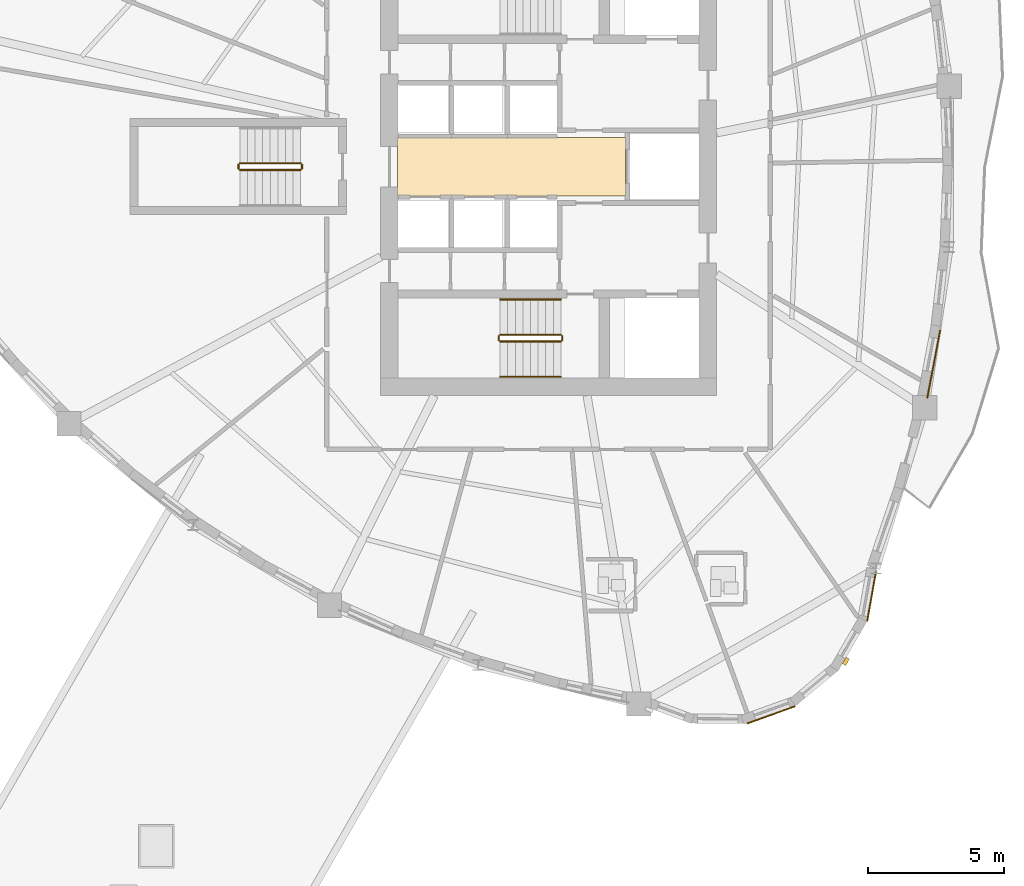
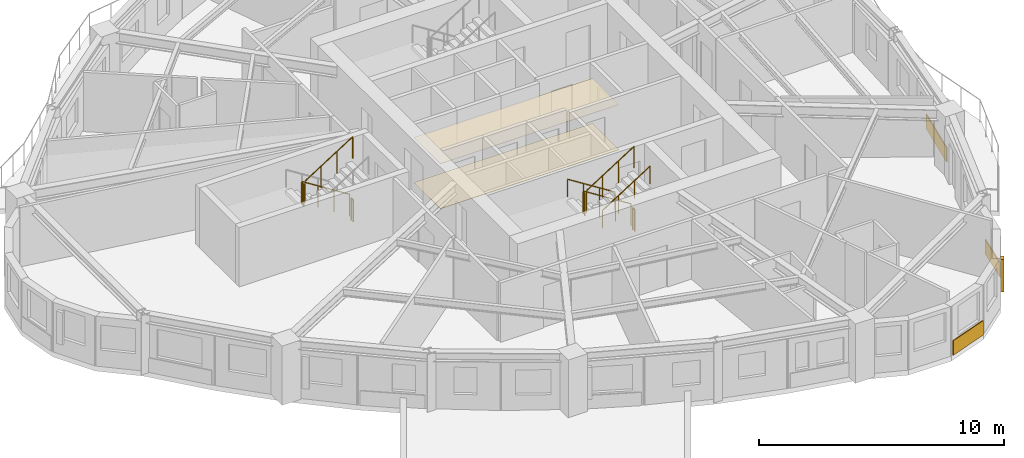
# One storey, part 11 of 14: 10 railings, 5 coverings, 1 shading device.
"""IFC4 building model written with IfcOpenShell, lengths in metres."""

import ifcopenshell
import ifcopenshell.guid

model = None  # the IFC model being written
_history = None  # IfcOwnerHistory: only IFC2X3 demands one
_inside = {}  # id of a spatial element -> (the spatial element, [elements in it])
_under = {}  # id of a project, library or spatial element -> (it, [spatial elements below it])
_declared = {}  # id of a project -> (the project, [libraries it declares])
_typed = {}  # id of a type object -> (the type object, [elements of that type])
_made_of = {}  # id of a material, layer set ... -> (it, [elements and type objects made of it])


def new_model(schema):
    """Start an empty IFC model of exactly this schema.

    Asked for "IFC4X3", IfcOpenShell would pick the latest addendum, in which some entities
    have other attributes; the version numbers below select the first issue.
    IFC2X3 requires an IfcOwnerHistory on every rooted entity: one is made here for all.
    """
    global model, _history
    if schema == "IFC4X3":
        model = ifcopenshell.file(schema_version=(4, 3, 0, 0))
    else:
        model = ifcopenshell.file(schema=schema)
    _inside.clear()
    _under.clear()
    _declared.clear()
    _typed.clear()
    _made_of.clear()
    _history = None
    if model.schema == "IFC2X3":
        org = make("IfcOrganization", Name="unknown")
        user = make(
            "IfcPersonAndOrganization",
            ThePerson=make("IfcPerson", FamilyName="unknown"),
            TheOrganization=org,
        )
        app = make(
            "IfcApplication",
            ApplicationDeveloper=org,
            Version="unknown",
            ApplicationFullName="unknown",
            ApplicationIdentifier="unknown",
        )
        _history = make(
            "IfcOwnerHistory",
            OwningUser=user,
            OwningApplication=app,
            ChangeAction="ADDED",
            CreationDate=0,
        )
    return model


def make(cls, **values):
    """One entity of the class cls with the attributes given. An attribute that is None is left unset."""
    return model.create_entity(
        cls, **{name: value for name, value in values.items() if value is not None}
    )


def rooted(cls, **values):
    """An entity with a GlobalId (a new one), such as an element, a storey or a relation."""
    return make(cls, GlobalId=ifcopenshell.guid.new(), OwnerHistory=_history, **values)


def si_unit(unit_type, name, prefix=None):
    """IfcSIUnit, for example si_unit("LENGTHUNIT", "METRE", prefix="MILLI")."""
    return make("IfcSIUnit", UnitType=unit_type, Prefix=prefix, Name=name)


def assignment(units):
    """IfcUnitAssignment: the units of a project."""
    return None if units is None else make("IfcUnitAssignment", Units=units)


def point(xyz):
    """IfcCartesianPoint."""
    return None if xyz is None else make("IfcCartesianPoint", Coordinates=xyz)


def direction(xyz):
    """IfcDirection."""
    return None if xyz is None else make("IfcDirection", DirectionRatios=xyz)


def frame(location, z_axis=None, x_axis=None):
    """IfcAxis2Placement3D, a coordinate frame: its origin and axes. An axis left out is left unset."""
    return make(
        "IfcAxis2Placement3D",
        Location=point(location),
        Axis=direction(z_axis),
        RefDirection=direction(x_axis),
    )


def frame_2d(location, x_axis=None):
    """IfcAxis2Placement2D, a coordinate frame in the plane: its origin and x axis."""
    return make(
        "IfcAxis2Placement2D", Location=point(location), RefDirection=direction(x_axis)
    )


def origin():
    """The frame at (0, 0, 0) with its axes left unset."""
    return frame((0.0, 0.0, 0.0))


def origin_2d():
    """The frame at (0, 0) in the plane with its x axis left unset."""
    return frame_2d((0.0, 0.0))


def place(relative_to, where):
    """IfcLocalPlacement: puts the frame where relative to a parent placement (None: the world)."""
    return make(
        "IfcLocalPlacement", PlacementRelTo=relative_to, RelativePlacement=where
    )


def context(
    kind, dimensions, precision=None, world=None, true_north=None, identifier=None
):
    """IfcGeometricRepresentationContext, for example the 3D "Model" context."""
    return make(
        "IfcGeometricRepresentationContext",
        ContextIdentifier=identifier,
        ContextType=kind,
        CoordinateSpaceDimension=dimensions,
        Precision=precision,
        WorldCoordinateSystem=world,
        TrueNorth=true_north,
    )


def subcontext(parent, identifier, kind, view, scale=None):
    """IfcGeometricRepresentationSubContext, for example "Body" below "Model"."""
    return make(
        "IfcGeometricRepresentationSubContext",
        ContextIdentifier=identifier,
        ContextType=kind,
        ParentContext=parent,
        TargetScale=scale,
        TargetView=view,
    )


def project(units=None, contexts=None):
    """IfcProject with its units and contexts."""
    return rooted(
        "IfcProject",
        Name="project",
        RepresentationContexts=contexts,
        UnitsInContext=assignment(units),
    )


def spatial(cls, under=None, at=None, **own):
    """A site, building, storey or space (cls), placed at a placement, below another one or the project."""
    s = rooted(cls, ObjectPlacement=at, **own)
    if under is not None:
        _under.setdefault(under.id(), (under, []))[1].append(s)
    return s


def polyline(points):
    """IfcPolyline through the points."""
    return make("IfcPolyline", Points=[point(p) for p in points])


def profile(cls, at=None, kind="AREA", **sizes):
    """A parametric profile (cls). Its sizes go by their IFC names, for example OverallWidth=200.0."""
    return make(cls, ProfileType=kind, Position=at, **sizes)


def rectangle(**sizes):
    """IfcRectangleProfileDef."""
    return profile("IfcRectangleProfileDef", **sizes)


def circle(**sizes):
    """IfcCircleProfileDef."""
    return profile("IfcCircleProfileDef", **sizes)


def outline(outer, holes=None, kind="AREA"):
    """IfcArbitraryClosedProfileDef: a profile drawn as a closed curve; with holes, ...WithVoids."""
    if holes is None:
        return make("IfcArbitraryClosedProfileDef", ProfileType=kind, OuterCurve=outer)
    return make(
        "IfcArbitraryProfileDefWithVoids",
        ProfileType=kind,
        OuterCurve=outer,
        InnerCurves=holes,
    )


def extrude(swept, where, along, depth):
    """IfcExtrudedAreaSolid: the profile swept, set in the frame where, extruded along a direction by depth."""
    return make(
        "IfcExtrudedAreaSolid",
        SweptArea=swept,
        Position=where,
        ExtrudedDirection=direction(along),
        Depth=depth,
    )


def shape(context_of_items, identifier, shape_type, items):
    """IfcShapeRepresentation: the items that make up one representation, for example the "Body"."""
    return make(
        "IfcShapeRepresentation",
        ContextOfItems=context_of_items,
        RepresentationIdentifier=identifier,
        RepresentationType=shape_type,
        Items=items,
    )


def source(mapping_origin, context_of_items, identifier, shape_type, items):
    """IfcRepresentationMap: a shape defined once, which mapped items show again and again."""
    return make(
        "IfcRepresentationMap",
        MappingOrigin=mapping_origin,
        MappedRepresentation=shape(context_of_items, identifier, shape_type, items),
    )


def transform(
    local_origin,
    x_axis=None,
    y_axis=None,
    z_axis=None,
    scale=None,
    scale2=None,
    scale3=None,
    uniform=True,
):
    """IfcCartesianTransformationOperator3D, or its non-uniform kind. x_axis, y_axis, z_axis: its Axis1, 2, 3."""
    if uniform:
        return make(
            "IfcCartesianTransformationOperator3D",
            Axis1=direction(x_axis),
            Axis2=direction(y_axis),
            LocalOrigin=point(local_origin),
            Scale=scale,
            Axis3=direction(z_axis),
        )
    return make(
        "IfcCartesianTransformationOperator3DnonUniform",
        Axis1=direction(x_axis),
        Axis2=direction(y_axis),
        LocalOrigin=point(local_origin),
        Scale=scale,
        Axis3=direction(z_axis),
        Scale2=scale2,
        Scale3=scale3,
    )


def mapped(mapping_source, mapping_target):
    """IfcMappedItem: shows the shape of a source again, moved by a transform."""
    return make(
        "IfcMappedItem", MappingSource=mapping_source, MappingTarget=mapping_target
    )


def material(Name=None, Category=None):
    """IfcMaterial."""
    return make("IfcMaterial", Name=Name, Category=Category)


def layer(
    of_material, thickness, ventilated=None, Name=None, Category=None, Priority=None
):
    """IfcMaterialLayer: one layer of a wall or slab, of a material (None: an air gap)."""
    return make(
        "IfcMaterialLayer",
        Material=of_material,
        LayerThickness=thickness,
        IsVentilated=ventilated,
        Name=Name,
        Category=Category,
        Priority=Priority,
    )


def layer_set(layers, Name=None):
    """IfcMaterialLayerSet."""
    return make("IfcMaterialLayerSet", MaterialLayers=layers, LayerSetName=Name)


def made_of(thing, what):
    """Note that an element or type object is made of a material, layer set ...; save() writes the relation."""
    if what is not None:
        _made_of.setdefault(what.id(), (what, []))[1].append(thing)
    return thing


def type_object(cls, material=None, **own):
    """A type object (cls), such as IfcWallType, which elements share."""
    return made_of(rooted(cls, **own), material)


def element(
    cls,
    number,
    at=None,
    inside=None,
    cuts=None,
    type_object=None,
    material=None,
    context=None,
    identifier="Body",
    shape_type=None,
    held_by="IfcProductDefinitionShape",
    body=None,
    shapes=None,
    **own,
):
    """One element of the class cls, such as IfcWall. Its Tag is "e" and its number.

    at: its placement. inside: the storey or other place that contains it. cuts: it is an
    opening in that element (IfcRelVoidsElement). A single representation is given by context,
    identifier, shape_type and body (its items); several are given by shapes. held_by: the class
    of the entity that holds the representations. save() writes the other relations.
    """
    e = rooted(cls, Tag="e%d" % number, ObjectPlacement=at, **own)
    if body is not None:
        shapes = [shape(context, identifier, shape_type, body)]
    if shapes is not None:
        e.Representation = make(held_by, Representations=shapes)
    if inside is not None:
        _inside.setdefault(inside.id(), (inside, []))[1].append(e)
    if cuts is not None:
        rooted(
            "IfcRelVoidsElement", RelatingBuildingElement=cuts, RelatedOpeningElement=e
        )
    if type_object is not None:
        _typed.setdefault(type_object.id(), (type_object, []))[1].append(e)
    return made_of(e, material)


def aggregate(whole, parts):
    """IfcRelAggregates: a whole, such as a stair, and the parts it consists of."""
    return rooted("IfcRelAggregates", RelatingObject=whole, RelatedObjects=parts)


def save(model, path):
    """Write the relations noted so far, then the file.

    IfcRelAggregates (storeys below a building ...), IfcRelContainedInSpatialStructure (elements
    in a storey), IfcRelDefinesByType, IfcRelAssociatesMaterial and IfcRelDeclares: one each for
    every whole, place, type object, material and project.
    """
    for whole, parts in _under.values():
        aggregate(whole, parts)
    for where, things in _inside.values():
        rooted(
            "IfcRelContainedInSpatialStructure",
            RelatedElements=things,
            RelatingStructure=where,
        )
    for kind, things in _typed.values():
        rooted("IfcRelDefinesByType", RelatedObjects=things, RelatingType=kind)
    for what, things in _made_of.values():
        rooted("IfcRelAssociatesMaterial", RelatedObjects=things, RelatingMaterial=what)
    for by, libraries in _declared.values():
        rooted("IfcRelDeclares", RelatingContext=by, RelatedDefinitions=libraries)
    model.write(path)


model = new_model("IFC4")

# Units and contexts
model_context = context("Model", 3, precision=1e-05, world=origin(), true_north=direction((0.0, 1.0)))
body_context = subcontext(model_context, "Body", "Model", "MODEL_VIEW")
ifc_project = project(units=[si_unit("LENGTHUNIT", "METRE"), si_unit("AREAUNIT", "SQUARE_METRE"), si_unit("VOLUMEUNIT", "CUBIC_METRE"), si_unit("PLANEANGLEUNIT", "RADIAN"), si_unit("MASSUNIT", "GRAM", prefix="KILO")], contexts=[model_context])

# Site, building, storey
site_placement = place(None, origin())
site = spatial("IfcSite", under=ifc_project, at=site_placement, CompositionType="ELEMENT")
building_placement = place(site_placement, origin())
building = spatial("IfcBuilding", under=site, at=building_placement, Name="Qafzar Sky-Pleat Residences", CompositionType="ELEMENT")
storey_placement = place(building_placement, frame((0.0, 0.0, 118.39990234375)))
storey = spatial("IfcBuildingStorey", under=building, at=storey_placement, Name="L35", CompositionType="ELEMENT", Elevation=118.39990234375)

# Coverings
ifc_material_1 = material(Name="Perforated acoustic gypsum board ceiling")
ifc_layer_1 = layer(ifc_material_1, 0.02001953125)
ifc_layer_set_1 = layer_set([ifc_layer_1], Name="Perforated acoustic gypsum board ceiling")
covering_type_1 = type_object("IfcCoveringType", Name="COV-CEIL-ACOUSTIC", PredefinedType="CEILING", material=ifc_layer_set_1)
covering_1_placement = place(storey_placement, frame((0.0, 0.0, 2.239990234375)))
element("IfcCovering", 1, at=covering_1_placement, inside=storey, type_object=covering_type_1, Name="L35 Passenger Lift Lobby Acoustic Ceiling", PredefinedType="CEILING", context=body_context, shape_type="SweptSolid", body=[
    extrude(outline(polyline([(33.179931640625, 24.919921875), (24.77001953125, 24.919921875), (24.77001953125, 27.080078125), (33.179931640625, 27.080078125), (33.179931640625, 24.919921875)])), origin(), (0.0, 0.0, 1.0), 0.02001953125),
])
ifc_material_2 = material(Name="Honed porcelain and Riyadh stone tile flooring", Category="masonry")
ifc_layer_2 = layer(ifc_material_2, 0.02001953125)
ifc_layer_set_2 = layer_set([ifc_layer_2], Name="Honed porcelain and Riyadh stone tile flooring")
covering_type_2 = type_object("IfcCoveringType", Name="COV-FLR-PORCELAIN", PredefinedType="FLOORING", material=ifc_layer_set_2)
covering_2_placement = place(storey_placement, origin())
element("IfcCovering", 2, at=covering_2_placement, inside=storey, type_object=covering_type_2, Name="L35 Passenger Lift Lobby Honed Stone Flooring", PredefinedType="FLOORING", context=body_context, shape_type="SweptSolid", body=[
    extrude(outline(polyline([(33.179931640625, 24.919921875), (24.77001953125, 24.919921875), (24.77001953125, 27.080078125), (33.179931640625, 27.080078125), (33.179931640625, 24.919921875)])), origin(), (0.0, 0.0, 1.0), 0.02001953125),
])

# Shading device
ifc_material_3 = material(Name="Honed Riyadh limestone solar fin", Category="masonry")
ifc_layer_3 = layer(ifc_material_3, 0.139892578125)
ifc_layer_set_3 = layer_set([ifc_layer_3], Name="Honed Riyadh limestone solar fin")
shading_device_type = type_object("IfcShadingDeviceType", Name="SHD-FIN-STONE", PredefinedType="SHUTTER", material=ifc_layer_set_3)
shared_shape_1 = source(origin(), body_context, "Body", "SweptSolid", [
    extrude(rectangle(XDim=0.139892578125, YDim=0.280029296875, at=origin_2d()), origin(), (0.0, 0.0, 1.0), 1.60009765625),
])
shading_device_placement = place(storey_placement, frame((41.314453125, 7.749755859375, 0.60009765625), z_axis=(0.0, 0.0, 1.0), x_axis=(0.864874104555, -0.501988827833, 0.0)))
element("IfcShadingDevice", 3, at=shading_device_placement, inside=storey, type_object=shading_device_type, Name="L35 Limestone Solar Fin 21", PredefinedType="SHUTTER", context=body_context, shape_type="MappedRepresentation", body=[
    mapped(shared_shape_1, transform((0.0, 0.0, 0.0), x_axis=(1.0, 0.0, 0.0), y_axis=(0.0, 1.0, 0.0), z_axis=(0.0, 0.0, 1.0), scale=1.0)),
])

# Coverings
ifc_material_4 = material(Name="Honed Riyadh Tuwaiq limestone cladding", Category="masonry")
ifc_layer_4 = layer(ifc_material_4, 0.044921875)
ifc_layer_set_4 = layer_set([ifc_layer_4], Name="Honed Riyadh Tuwaiq limestone cladding")
covering_type_3 = type_object("IfcCoveringType", Name="COV-CLAD-STONE", PredefinedType="CLADDING", material=ifc_layer_set_4)
shared_shape_2 = source(origin(), body_context, "Body", "SweptSolid", [
    extrude(rectangle(XDim=1.88916015625, YDim=0.044921875, at=origin_2d()), origin(), (0.0, 0.0, 1.0), 0.719970703125),
])
covering_3_placement = place(storey_placement, frame((38.554443359375, 5.774658203125, 0.02001953125), z_axis=(0.0, 0.0, 1.0), x_axis=(0.941518591784, 0.336961038289, 0.0)))
element("IfcCovering", 4, at=covering_3_placement, inside=storey, type_object=covering_type_3, Name="L35 Riyadh Limestone Spandrel Cladding 19", PredefinedType="CLADDING", context=body_context, shape_type="MappedRepresentation", body=[
    mapped(shared_shape_2, transform((0.0, 0.0, 0.0), x_axis=(1.0, 0.0, 0.0), y_axis=(0.0, 1.0, 0.0), z_axis=(0.0, 0.0, 1.0), scale=1.0)),
])
shared_shape_3 = source(origin(), body_context, "Body", "SweptSolid", [
    extrude(rectangle(XDim=1.8369140625, YDim=0.044921875, at=origin_2d()), origin(), (0.0, 0.0, 1.0), 0.719970703125),
])
covering_4_placement = place(storey_placement, frame((42.2626953125, 10.14404296875, 0.02001953125), z_axis=(0.0, 0.0, 1.0), x_axis=(0.174361037484, 0.984681790533, 0.0)))
element("IfcCovering", 5, at=covering_4_placement, inside=storey, type_object=covering_type_3, Name="L35 Riyadh Limestone Spandrel Cladding 22", PredefinedType="CLADDING", context=body_context, shape_type="MappedRepresentation", body=[
    mapped(shared_shape_3, transform((0.0, 0.0, 0.0), x_axis=(1.0, 0.0, 0.0), y_axis=(0.0, 1.0, 0.0), z_axis=(0.0, 0.0, 1.0), scale=1.0)),
])
shared_shape_4 = source(origin(), body_context, "Body", "SweptSolid", [
    extrude(rectangle(XDim=2.5439453125, YDim=0.044921875, at=origin_2d()), origin(), (0.0, 0.0, 1.0), 0.719970703125),
])
covering_5_placement = place(storey_placement, frame((44.553955078125, 18.713623046875, 0.02001953125), z_axis=(0.0, 0.0, 1.0), x_axis=(0.186691035314, 0.982418677211, 0.0)))
element("IfcCovering", 6, at=covering_5_placement, inside=storey, type_object=covering_type_3, Name="L35 Riyadh Limestone Spandrel Cladding 25", PredefinedType="CLADDING", context=body_context, shape_type="MappedRepresentation", body=[
    mapped(shared_shape_4, transform((0.0, 0.0, 0.0), x_axis=(1.0, 0.0, 0.0), y_axis=(0.0, 1.0, 0.0), z_axis=(0.0, 0.0, 1.0), scale=1.0)),
])

# Railings
ifc_material_5 = material(Name="Painted Steel S355 stair guardrail", Category="steel")
railing_type_1 = type_object("IfcRailingType", Name="RAIL-STAIR-GUARD", PredefinedType="GUARDRAIL", material=ifc_material_5)
shared_shape_5 = source(origin(), body_context, "Body", "SweptSolid", [
    extrude(circle(Radius=0.02392578125, at=origin_2d()), frame((0.0, 0.0, 1.076171875), z_axis=(0.0, -1.0, 0.0), x_axis=(1.0, 0.0, 0.0)), (0.0, 0.0, 1.0), 0.14990234375),
    extrude(circle(Radius=0.02099609375, at=origin_2d()), origin(), (0.0, 0.0, 1.0), 1.052001953125),
    extrude(circle(Radius=0.02099609375, at=origin_2d()), frame((0.0, -0.14990234375, 0.0)), (0.0, 0.0, 1.0), 1.052001953125),
])
for number, where, name in (
    (7, (28.510009765625, 19.75, 1.60009765625), "L35 ST1 stair guard 2"),
    (8, (30.85009765625, 19.75, 0.0), "L35 ST1 stair guard 4"),
    (9, (18.909912109375, 26.074951171875, 1.60009765625), "L35 ST3 stair guard 2"),
    (10, (21.25, 26.074951171875, 0.0), "L35 ST3 stair guard 4"),
):
    element("IfcRailing", number, at=place(storey_placement, frame(where)), inside=storey, type_object=railing_type_1, Name=name, PredefinedType="GUARDRAIL", context=body_context, shape_type="MappedRepresentation", body=[
        mapped(shared_shape_5, transform((0.0, 0.0, 0.0), x_axis=(1.0, 0.0, 0.0), y_axis=(0.0, 1.0, 0.0), z_axis=(0.0, 0.0, 1.0), scale=1.0)),
    ])
shared_shape_6 = source(origin(), body_context, "Body", "SweptSolid", [
    extrude(circle(Radius=0.02392578125, at=origin_2d()), frame((0.0, 0.0, 1.076171875), z_axis=(-0.8442293374, 0.0, 0.53598211339), x_axis=(0.0, -1.0, 0.0)), (0.0, 0.0, 1.0), 2.6533203125),
    extrude(circle(Radius=0.02099609375, at=origin_2d()), origin(), (0.0, 0.0, 1.0), 1.052001953125),
    extrude(circle(Radius=0.02099609375, at=origin_2d()), frame((-0.74658203125, 0.0, 0.47412109375)), (0.0, 0.0, 1.0), 1.052001953125),
    extrude(circle(Radius=0.02099609375, at=origin_2d()), frame((-1.493408203125, 0.0, 0.947998046875)), (0.0, 0.0, 1.0), 1.052001953125),
    extrude(circle(Radius=0.02099609375, at=origin_2d()), frame((-2.239990234375, 0.0, 1.422119140625)), (0.0, 0.0, 1.0), 1.052001953125),
])
for number, where, name in (
    (11, (30.800048828125, 19.800048828125, 0.177978515625), "L35 ST1 stair guard 1"),
    (12, (21.199951171875, 26.125, 0.177978515625), "L35 ST3 stair guard 1"),
):
    element("IfcRailing", number, at=place(storey_placement, frame(where)), inside=storey, type_object=railing_type_1, Name=name, PredefinedType="GUARDRAIL", context=body_context, shape_type="MappedRepresentation", body=[
        mapped(shared_shape_6, transform((0.0, 0.0, 0.0), x_axis=(1.0, 0.0, 0.0), y_axis=(0.0, 1.0, 0.0), z_axis=(0.0, 0.0, 1.0), scale=1.0)),
    ])
ifc_material_6 = material(Name="Brushed stainless steel handrail", Category="steel")
railing_type_2 = type_object("IfcRailingType", Name="RAIL-STAIR-HAND", PredefinedType="HANDRAIL", material=ifc_material_6)
shared_shape_7 = source(origin(), body_context, "Body", "SweptSolid", [
    extrude(circle(Radius=0.02392578125, at=origin_2d()), frame((0.0, 0.0, 0.8759765625), z_axis=(-0.8442293374, 0.0, 0.53598211339), x_axis=(0.0, -1.0, 0.0)), (0.0, 0.0, 1.0), 2.6533203125),
    extrude(circle(Radius=0.02099609375, at=origin_2d()), origin(), (0.0, 0.0, 1.0), 0.851806640625),
    extrude(circle(Radius=0.02099609375, at=origin_2d()), frame((-0.74658203125, 0.0, 0.47412109375)), (0.0, 0.0, 1.0), 0.851806640625),
    extrude(circle(Radius=0.02099609375, at=origin_2d()), frame((-1.493408203125, 0.0, 0.947998046875)), (0.0, 0.0, 1.0), 0.851806640625),
    extrude(circle(Radius=0.02099609375, at=origin_2d()), frame((-2.239990234375, 0.0, 1.422119140625)), (0.0, 0.0, 1.0), 0.851806640625),
])
railing_1_placement = place(storey_placement, frame((30.800048828125, 21.10009765625, 0.177978515625)))
element("IfcRailing", 13, at=railing_1_placement, inside=storey, type_object=railing_type_2, Name="L35 ST1 stair handrail 1", PredefinedType="HANDRAIL", context=body_context, shape_type="MappedRepresentation", body=[
    mapped(shared_shape_7, transform((0.0, 0.0, 0.0), x_axis=(1.0, 0.0, 0.0), y_axis=(0.0, 1.0, 0.0), z_axis=(0.0, 0.0, 1.0), scale=1.0)),
])
shared_shape_8 = source(origin(), body_context, "Body", "SweptSolid", [
    extrude(circle(Radius=0.02392578125, at=origin_2d()), frame((0.0, 0.0, 1.076171875), z_axis=(0.84418770128, 0.0, 0.536047689118), x_axis=(0.0, 1.0, 0.0)), (0.0, 0.0, 1.0), 2.6533203125),
    extrude(circle(Radius=0.02099609375, at=origin_2d()), origin(), (0.0, 0.0, 1.0), 1.052001953125),
    extrude(circle(Radius=0.02099609375, at=origin_2d()), frame((0.74658203125, 0.0, 0.47412109375)), (0.0, 0.0, 1.0), 1.052001953125),
    extrude(circle(Radius=0.02099609375, at=origin_2d()), frame((1.493408203125, 0.0, 0.9482421875)), (0.0, 0.0, 1.0), 1.052001953125),
    extrude(circle(Radius=0.02099609375, at=origin_2d()), frame((2.239990234375, 0.0, 1.42236328125)), (0.0, 0.0, 1.0), 1.052001953125),
])
for number, where, name in (
    (14, (28.56005859375, 19.550048828125, 1.77783203125), "L35 ST1 stair guard 3"),
    (15, (18.9599609375, 25.875, 1.77783203125), "L35 ST3 stair guard 3"),
):
    element("IfcRailing", number, at=place(storey_placement, frame(where)), inside=storey, type_object=railing_type_1, Name=name, PredefinedType="GUARDRAIL", context=body_context, shape_type="MappedRepresentation", body=[
        mapped(shared_shape_8, transform((0.0, 0.0, 0.0), x_axis=(1.0, 0.0, 0.0), y_axis=(0.0, 1.0, 0.0), z_axis=(0.0, 0.0, 1.0), scale=1.0)),
    ])
shared_shape_9 = source(origin(), body_context, "Body", "SweptSolid", [
    extrude(circle(Radius=0.02392578125, at=origin_2d()), frame((0.0, 0.0, 0.8759765625), z_axis=(0.84418770128, 0.0, 0.536047689118), x_axis=(0.0, 1.0, 0.0)), (0.0, 0.0, 1.0), 2.6533203125),
    extrude(circle(Radius=0.02099609375, at=origin_2d()), origin(), (0.0, 0.0, 1.0), 0.851806640625),
    extrude(circle(Radius=0.02099609375, at=origin_2d()), frame((0.74658203125, 0.0, 0.47412109375)), (0.0, 0.0, 1.0), 0.851806640625),
    extrude(circle(Radius=0.02099609375, at=origin_2d()), frame((1.493408203125, 0.0, 0.9482421875)), (0.0, 0.0, 1.0), 0.851806640625),
    extrude(circle(Radius=0.02099609375, at=origin_2d()), frame((2.239990234375, 0.0, 1.42236328125)), (0.0, 0.0, 1.0), 0.851806640625),
])
railing_2_placement = place(storey_placement, frame((28.56005859375, 18.25, 1.77783203125)))
element("IfcRailing", 16, at=railing_2_placement, inside=storey, type_object=railing_type_2, Name="L35 ST1 stair handrail 2", PredefinedType="HANDRAIL", context=body_context, shape_type="MappedRepresentation", body=[
    mapped(shared_shape_9, transform((0.0, 0.0, 0.0), x_axis=(1.0, 0.0, 0.0), y_axis=(0.0, 1.0, 0.0), z_axis=(0.0, 0.0, 1.0), scale=1.0)),
])

save(model, "model.ifc")
